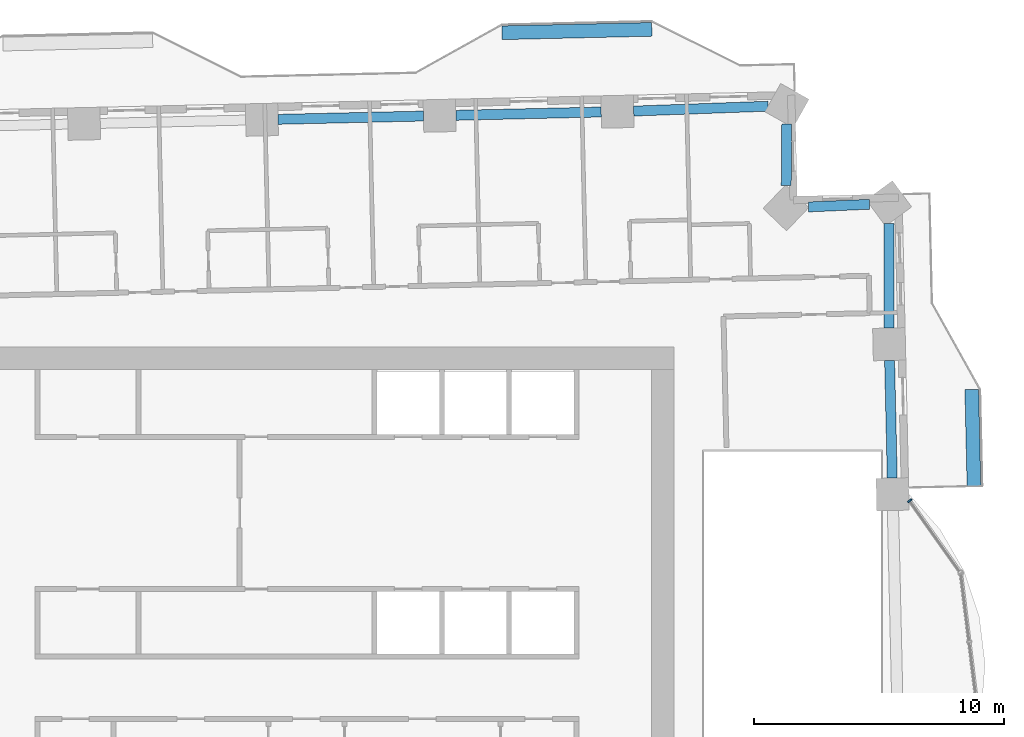
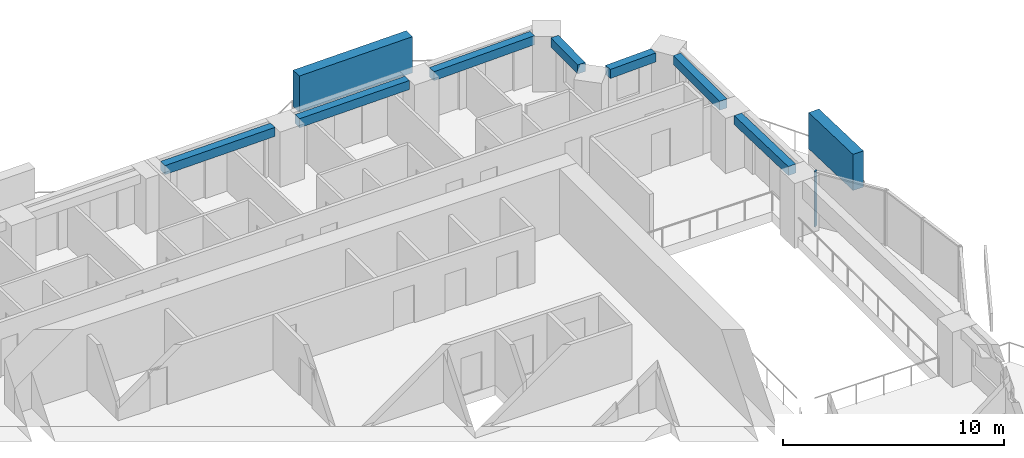
# One storey, part 4 of 16: 7 beams, 3 members, 1 element without a shape of its own.
"""IFC4 building model written with IfcOpenShell, lengths in metres."""

from ifc_helpers import new_model, si_unit, direction, frame, origin, origin_2d, place, context, subcontext, project, spatial, rectangle, extrude, material, material_profile, profile_set, type_object, element, aggregate, save


model = new_model("IFC4")

# Units and contexts
model_context = context("Model", 3, precision=1e-05, world=origin(), true_north=direction((0.0, 1.0)))
body_context = subcontext(model_context, "Body", "Model", "MODEL_VIEW")
ifc_project = project(units=[si_unit("LENGTHUNIT", "METRE"), si_unit("AREAUNIT", "SQUARE_METRE"), si_unit("VOLUMEUNIT", "CUBIC_METRE"), si_unit("PLANEANGLEUNIT", "RADIAN"), si_unit("MASSUNIT", "GRAM", prefix="KILO")], contexts=[model_context])

# Site, building, storey
site_placement = place(None, origin())
site = spatial("IfcSite", under=ifc_project, at=site_placement, CompositionType="ELEMENT")
building_placement = place(site_placement, origin())
building = spatial("IfcBuilding", under=site, at=building_placement, Name="Mangrove Gate Tower", CompositionType="ELEMENT")
storey_placement = place(building_placement, frame((0.0, 0.0, 144.5)))
storey = spatial("IfcBuildingStorey", under=building, at=storey_placement, Name="L36", CompositionType="ELEMENT", Elevation=144.5)

# Curtain wall, member
ifc_material_1 = material(Name="Aluminium and glass curtain wall", Category="aluminium")
curtain_wall_type = type_object("IfcCurtainWallType", Name="Atrium garden-court glazing wall", PredefinedType="NOTDEFINED", material=ifc_material_1)
curtain_wall_placement = place(storey_placement, origin())
curtain_wall = element("IfcCurtainWall", 1, at=curtain_wall_placement, inside=storey, type_object=curtain_wall_type, Name="Atrium garden-court glazing E1f3", PredefinedType="NOTDEFINED")
ifc_material_2 = material(Name="Aluminium alloy 6063-T6", Category="aluminium")
ifc_material_profile_1 = material_profile(ifc_material_2, rectangle(XDim=0.070068359375, YDim=0.199951171875, at=origin_2d()))
ifc_profile_set_1 = profile_set([ifc_material_profile_1], Name="Aluminium alloy 6063-T6")
member_type_1 = type_object("IfcMemberType", Name="Atrium garden-court glazing mullion 70x200", PredefinedType="MULLION", material=ifc_profile_set_1)
member_1_placement = place(storey_placement, frame((24.144775390625, 5.53759765625, 0.0), z_axis=(0.0, 0.0, 1.0), x_axis=(-0.578132252952, 0.815943072828, 0.0)))
member_1 = element("IfcMember", 2, at=member_1_placement, type_object=member_type_1, Name="CWA mullion 2", PredefinedType="MULLION", context=body_context, shape_type="SweptSolid", body=[
    extrude(rectangle(XDim=0.070068359375, YDim=0.199951171875, at=origin_2d()), origin(), (0.0, 0.0, 1.0), 3.050048828125),
])
aggregate(curtain_wall, [member_1])

# Members
ifc_material_3 = material(Name="Planting on aluminium trellis", Category="aluminium")
ifc_material_profile_2 = material_profile(ifc_material_3, rectangle(XDim=0.550048828125, YDim=2.0, at=origin_2d()))
ifc_profile_set_2 = profile_set([ifc_material_profile_2], Name="Planting on aluminium trellis")
member_type_2 = type_object("IfcMemberType", Name="Balcony greenery screen 550x2000", PredefinedType="USERDEFINED", material=ifc_profile_set_2)
member_2_placement = place(storey_placement, frame((26.718017578125, 6.1201171875, 1.800048828125), z_axis=(-0.022745736617, 0.999741282265, 0.0), x_axis=(-0.999741282265, -0.022745736617, 0.0)))
element("IfcMember", 3, at=member_2_placement, inside=storey, type_object=member_type_2, Name="GREEN SCREEN L36 E1.1", ObjectType="PLANTING", PredefinedType="USERDEFINED", context=body_context, shape_type="SweptSolid", body=[
    extrude(rectangle(XDim=0.550048828125, YDim=2.0, at=origin_2d()), origin(), (0.0, 0.0, 1.0), 3.874755859375),
])
member_3_placement = place(storey_placement, frame((7.81396484375, 24.284912109375, 1.800048828125), z_axis=(0.999743094499, 0.022665943652, 0.0), x_axis=(-0.022665943652, 0.999743094499, 0.0)))
element("IfcMember", 4, at=member_3_placement, inside=storey, type_object=member_type_2, Name="GREEN SCREEN L36 N0.1", ObjectType="PLANTING", PredefinedType="USERDEFINED", context=body_context, shape_type="SweptSolid", body=[
    extrude(rectangle(XDim=0.550048828125, YDim=2.0, at=origin_2d()), origin(), (0.0, 0.0, 1.0), 5.99951171875),
])

# Beams
ifc_material_4 = material(Name="Concrete C50/60", Category="concrete")
ifc_material_profile_3 = material_profile(ifc_material_4, rectangle(XDim=0.39990234375, YDim=0.5, at=origin_2d()))
ifc_profile_set_3 = profile_set([ifc_material_profile_3], Name="Concrete C50/60")
beam_type = type_object("IfcBeamType", Name="Edge beam RC 400x500 C50/60", PredefinedType="BEAM", material=ifc_profile_set_3)
beam_1_placement = place(storey_placement, frame((23.444580078125, 6.446044921875, 2.800048828125), z_axis=(-0.022643720968, 0.999743598079, 0.0), x_axis=(-0.999743598079, -0.022643720968, 0.0)))
element("IfcBeam", 5, at=beam_1_placement, inside=storey, type_object=beam_type, Name="Edge beam L36 15", PredefinedType="BEAM", context=body_context, shape_type="SweptSolid", body=[
    extrude(rectangle(XDim=0.39990234375, YDim=0.5, at=origin_2d()), origin(), (0.0, 0.0, 1.0), 4.711669921875),
])
beam_2_placement = place(storey_placement, frame((23.322021484375, 12.45654296875, 2.800048828125), z_axis=(-0.001866103585, 0.999998258827, 0.0), x_axis=(-0.999998258827, -0.001866103585, 0.0)))
element("IfcBeam", 6, at=beam_2_placement, inside=storey, type_object=beam_type, Name="Edge beam L36 16", PredefinedType="BEAM", context=body_context, shape_type="SweptSolid", body=[
    extrude(rectangle(XDim=0.39990234375, YDim=0.5, at=origin_2d()), origin(), (0.0, 0.0, 1.0), 4.1865234375),
])
beam_3_placement = place(storey_placement, frame((22.531982421875, 17.41357421875, 2.800048828125), z_axis=(-0.999039321051, -0.04382276798, 0.0), x_axis=(0.04382276798, -0.999039321051, 0.0)))
element("IfcBeam", 7, at=beam_3_placement, inside=storey, type_object=beam_type, Name="Edge beam L36 17", PredefinedType="BEAM", context=body_context, shape_type="SweptSolid", body=[
    extrude(rectangle(XDim=0.39990234375, YDim=0.5, at=origin_2d()), origin(), (0.0, 0.0, 1.0), 2.44580078125),
])
beam_4_placement = place(storey_placement, frame((19.19677734375, 18.15869140625, 2.800048828125), z_axis=(0.008702202125, 0.999962135122, 0.0), x_axis=(-0.999962135122, 0.008702202125, 0.0)))
element("IfcBeam", 8, at=beam_4_placement, inside=storey, type_object=beam_type, Name="Edge beam L36 18", PredefinedType="BEAM", context=body_context, shape_type="SweptSolid", body=[
    extrude(rectangle(XDim=0.39990234375, YDim=0.5, at=origin_2d()), origin(), (0.0, 0.0, 1.0), 2.46875),
])
beam_5_placement = place(storey_placement, frame((18.464599609375, 21.34130859375, 2.800048828125), z_axis=(-0.999351539582, -0.036006948424, 0.0), x_axis=(0.036006948424, -0.999351539582, 0.0)))
element("IfcBeam", 9, at=beam_5_placement, inside=storey, type_object=beam_type, Name="Edge beam L36 19", PredefinedType="BEAM", context=body_context, shape_type="SweptSolid", body=[
    extrude(rectangle(XDim=0.39990234375, YDim=0.5, at=origin_2d()), origin(), (0.0, 0.0, 1.0), 5.383544921875),
])
for number, where, z_axis, x_axis, name in (
    (10, (11.784912109375, 21.109375, 2.800048828125), (-0.999741835545, -0.022721405353, 0.0), (0.022721405353, -0.999741835545, 0.0), "Edge beam L36 20"),
    (11, (4.662841796875, 20.947509765625, 2.800048828125), (-0.999744684453, -0.022595705507, 0.0), (0.022595705507, -0.999744684453, 0.0), "Edge beam L36 21"),
):
    element("IfcBeam", number, at=place(storey_placement, frame(where, z_axis=z_axis, x_axis=x_axis)), inside=storey, type_object=beam_type, Name=name, PredefinedType="BEAM", context=body_context, shape_type="SweptSolid", body=[
        extrude(rectangle(XDim=0.39990234375, YDim=0.5, at=origin_2d()), origin(), (0.0, 0.0, 1.0), 5.82373046875),
    ])

save(model, "model.ifc")
